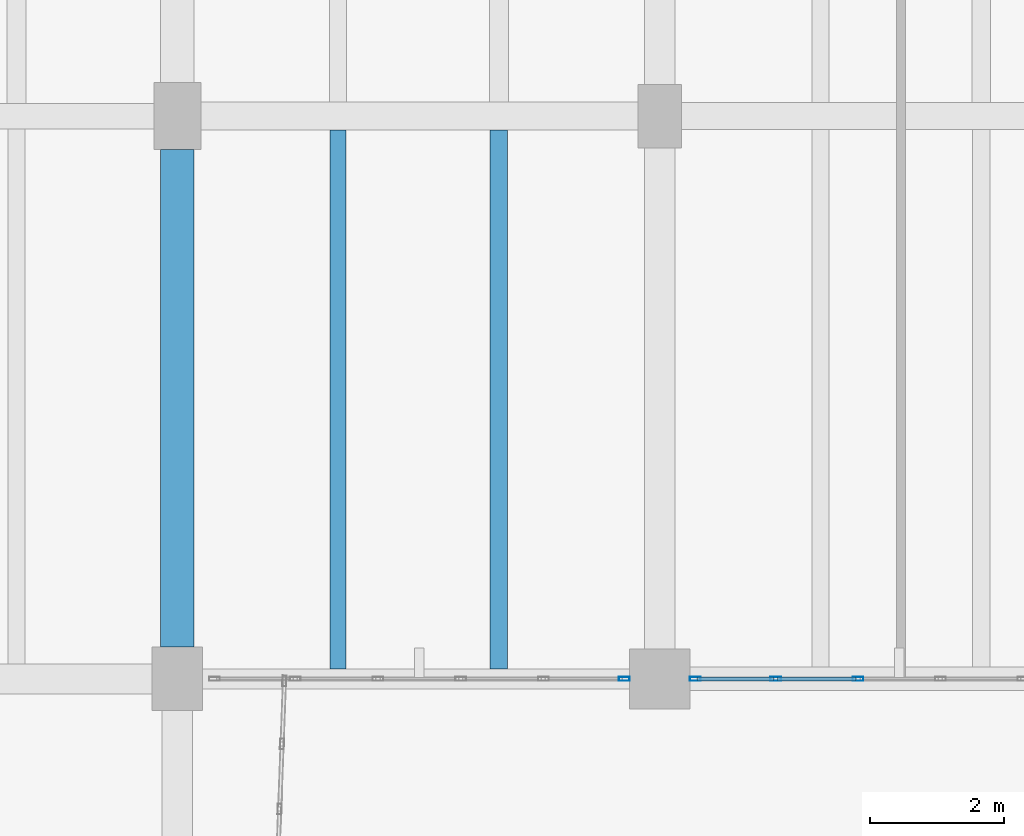
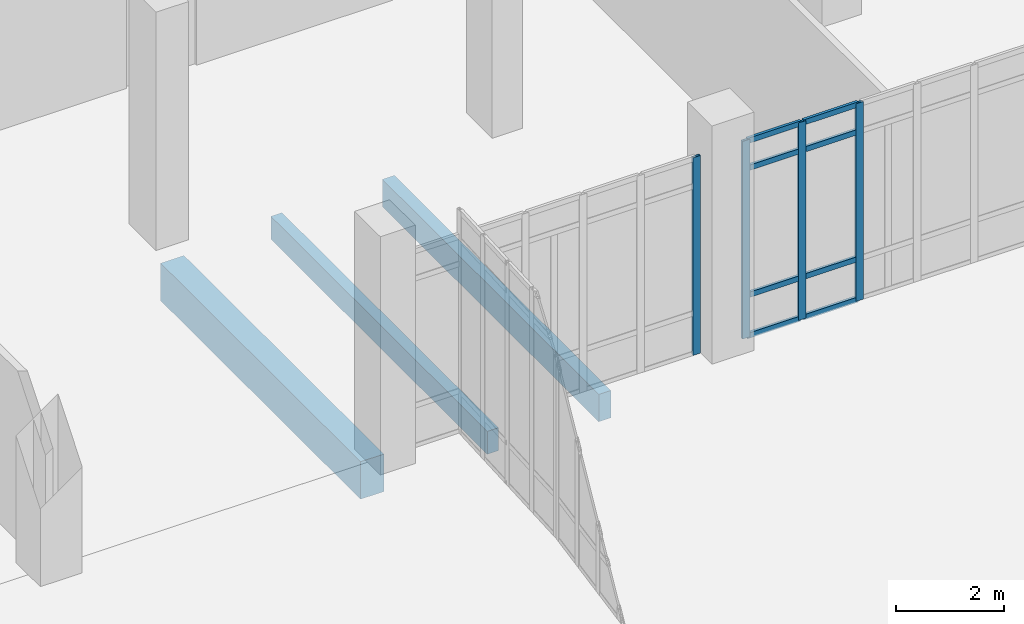
# One storey, part 50 of 110: 12 members, 3 beams, 2 elements without a shape of their own.
"""IFC4 building model written with IfcOpenShell, lengths in metres."""

from ifc_helpers import new_model, si_unit, direction, frame, origin, origin_2d, place, context, subcontext, project, spatial, rectangle, hollow_rectangle, extrude, material, material_profile, profile_set, type_object, element, aggregate, save


model = new_model("IFC4")

# Units and contexts
model_context = context("Model", 3, precision=1e-05, world=origin(), true_north=direction((0.0, 1.0)))
body_context = subcontext(model_context, "Body", "Model", "MODEL_VIEW")
ifc_project = project(units=[si_unit("LENGTHUNIT", "METRE"), si_unit("AREAUNIT", "SQUARE_METRE"), si_unit("VOLUMEUNIT", "CUBIC_METRE"), si_unit("PLANEANGLEUNIT", "RADIAN"), si_unit("MASSUNIT", "GRAM", prefix="KILO")], contexts=[model_context])

# Site, building, storey
site_placement = place(None, origin())
site = spatial("IfcSite", under=ifc_project, at=site_placement, CompositionType="ELEMENT")
building_placement = place(site_placement, origin())
building = spatial("IfcBuilding", under=site, at=building_placement, Name="Kalluvel Institute of Natural Sciences", CompositionType="ELEMENT")
storey_placement = place(building_placement, origin())
storey = spatial("IfcBuildingStorey", under=building, at=storey_placement, Name="L00", CompositionType="ELEMENT", Elevation=0.0)

# Beam
ifc_material_1 = material(Name="Concrete M50", Category="concrete")
ifc_material_profile_1 = material_profile(ifc_material_1, rectangle(XDim=0.5, YDim=0.85009765625, at=origin_2d()), Name="RCB 500x850")
ifc_profile_set_1 = profile_set([ifc_material_profile_1], Name="Concrete M50")
beam_type_1 = type_object("IfcBeamType", Name="BM-RC500x850", PredefinedType="BEAM", material=ifc_profile_set_1)
beam_1_placement = place(storey_placement, frame((86.0, 103.27490234375, -0.7451171875), z_axis=(0.0, 1.0, 0.0), x_axis=(-1.0, 0.0, 0.0)))
element("IfcBeam", 1, at=beam_1_placement, inside=storey, type_object=beam_type_1, Name="L00 girder GIR-L00-NS-X860-Y1028", PredefinedType="BEAM", context=body_context, shape_type="SweptSolid", body=[
    extrude(rectangle(XDim=0.5, YDim=0.85009765625, at=origin_2d()), origin(), (0.0, 0.0, 1.0), 7.425048828125),
])

# Curtain wall, member
ifc_material_2 = material(Name="Aluminium AW-6063 T6", Category="aluminium")
curtain_wall_type = type_object("IfcCurtainWallType", Name="CW-WET-54", PredefinedType="USERDEFINED", material=ifc_material_2)
curtain_wall_1_placement = place(storey_placement, origin())
curtain_wall_1 = element("IfcCurtainWall", 2, at=curtain_wall_1_placement, inside=storey, type_object=curtain_wall_type, Name="L00 Gothic lancet curtain wall CWA-L00-X865-Y1028", ObjectType="UNITISED LANCET FACADE", PredefinedType="USERDEFINED")
ifc_material_profile_2 = material_profile(ifc_material_2, hollow_rectangle(XDim=0.06005859375, YDim=0.159912109375, WallThickness=0.00390625, at=origin_2d()), Name="CWM 60x160")
ifc_profile_set_2 = profile_set([ifc_material_profile_2], Name="Aluminium AW-6063 T6")
member_type_1 = type_object("IfcMemberType", Name="CWM-60x160", PredefinedType="MULLION", material=ifc_profile_set_2)
member_1_placement = place(storey_placement, frame((92.669921875, 102.800048828125, 0.0), z_axis=(0.0, 0.0, 1.0), x_axis=(0.0, 1.0, 0.0)))
member_1 = element("IfcMember", 3, at=member_1_placement, type_object=member_type_1, Name="CW-02 mullion 6", PredefinedType="MULLION", context=body_context, shape_type="SweptSolid", body=[
    extrude(hollow_rectangle(XDim=0.06005859375, YDim=0.159912109375, WallThickness=0.00390625, at=origin_2d()), origin(), (0.0, 0.0, 1.0), 4.47998046875),
])
aggregate(curtain_wall_1, [member_1])

# Curtain wall, members
curtain_wall_2_placement = place(storey_placement, origin())
curtain_wall_2 = element("IfcCurtainWall", 4, at=curtain_wall_2_placement, inside=storey, type_object=curtain_wall_type, Name="L00 Gothic lancet curtain wall CWA-L00-X937-Y1028", ObjectType="UNITISED LANCET FACADE", PredefinedType="USERDEFINED")
member_2_placement = place(storey_placement, frame((93.72998046875, 102.800048828125, 0.0), z_axis=(0.0, 0.0, 1.0), x_axis=(0.0, 1.0, 0.0)))
member_2 = element("IfcMember", 5, at=member_2_placement, type_object=member_type_1, Name="CW-02 mullion 1", PredefinedType="MULLION", context=body_context, shape_type="SweptSolid", body=[
    extrude(hollow_rectangle(XDim=0.06005859375, YDim=0.159912109375, WallThickness=0.00390625, at=origin_2d()), origin(), (0.0, 0.0, 1.0), 4.47998046875),
])
member_3_placement = place(storey_placement, frame((94.929931640625, 102.800048828125, 0.0), z_axis=(0.0, 0.0, 1.0), x_axis=(0.0, 1.0, 0.0)))
member_3 = element("IfcMember", 6, at=member_3_placement, type_object=member_type_1, Name="CW-02 mullion 2", PredefinedType="MULLION", context=body_context, shape_type="SweptSolid", body=[
    extrude(hollow_rectangle(XDim=0.06005859375, YDim=0.159912109375, WallThickness=0.00390625, at=origin_2d()), origin(), (0.0, 0.0, 1.0), 4.47998046875),
])
member_4_placement = place(storey_placement, frame((96.159912109375, 102.800048828125, 0.0), z_axis=(0.0, 0.0, 1.0), x_axis=(0.0, 1.0, 0.0)))
member_4 = element("IfcMember", 7, at=member_4_placement, type_object=member_type_1, Name="CW-02 mullion 3", PredefinedType="MULLION", context=body_context, shape_type="SweptSolid", body=[
    extrude(hollow_rectangle(XDim=0.06005859375, YDim=0.159912109375, WallThickness=0.00390625, at=origin_2d()), origin(), (0.0, 0.0, 1.0), 4.47998046875),
])
ifc_material_profile_3 = material_profile(ifc_material_2, hollow_rectangle(XDim=0.06005859375, YDim=0.1201171875, WallThickness=0.00390625, at=origin_2d()), Name="CWT 60x120")
ifc_profile_set_3 = profile_set([ifc_material_profile_3], Name="Aluminium AW-6063 T6")
member_type_2 = type_object("IfcMemberType", Name="CWT-60x120", PredefinedType="USERDEFINED", material=ifc_profile_set_3)
member_5_placement = place(storey_placement, frame((93.760009765625, 102.800048828125, 0.030029296875), z_axis=(1.0, 0.0, 0.0), x_axis=(0.0, 1.0, 0.0)))
member_5 = element("IfcMember", 8, at=member_5_placement, type_object=member_type_2, Name="CW-02 transom 1.1", ObjectType="TRANSOM", PredefinedType="USERDEFINED", context=body_context, shape_type="SweptSolid", body=[
    extrude(hollow_rectangle(XDim=0.06005859375, YDim=0.1201171875, WallThickness=0.00390625, at=origin_2d()), origin(), (0.0, 0.0, 1.0), 1.139892578125),
])
member_6_placement = place(storey_placement, frame((93.760009765625, 102.800048828125, 0.949951171875), z_axis=(1.0, 0.0, 0.0), x_axis=(0.0, 1.0, 0.0)))
member_6 = element("IfcMember", 9, at=member_6_placement, type_object=member_type_2, Name="CW-02 transom 1.2", ObjectType="TRANSOM", PredefinedType="USERDEFINED", context=body_context, shape_type="SweptSolid", body=[
    extrude(hollow_rectangle(XDim=0.06005859375, YDim=0.1201171875, WallThickness=0.00390625, at=origin_2d()), origin(), (0.0, 0.0, 1.0), 1.139892578125),
])
member_7_placement = place(storey_placement, frame((93.760009765625, 102.800048828125, 3.830078125), z_axis=(1.0, 0.0, 0.0), x_axis=(0.0, 1.0, 0.0)))
member_7 = element("IfcMember", 10, at=member_7_placement, type_object=member_type_2, Name="CW-02 transom 1.3", ObjectType="TRANSOM", PredefinedType="USERDEFINED", context=body_context, shape_type="SweptSolid", body=[
    extrude(hollow_rectangle(XDim=0.06005859375, YDim=0.1201171875, WallThickness=0.00390625, at=origin_2d()), origin(), (0.0, 0.0, 1.0), 1.139892578125),
])
member_8_placement = place(storey_placement, frame((93.760009765625, 102.800048828125, 4.449951171875), z_axis=(1.0, 0.0, 0.0), x_axis=(0.0, 1.0, 0.0)))
member_8 = element("IfcMember", 11, at=member_8_placement, type_object=member_type_2, Name="CW-02 transom 1.4", ObjectType="TRANSOM", PredefinedType="USERDEFINED", context=body_context, shape_type="SweptSolid", body=[
    extrude(hollow_rectangle(XDim=0.06005859375, YDim=0.1201171875, WallThickness=0.00390625, at=origin_2d()), origin(), (0.0, 0.0, 1.0), 1.139892578125),
])
member_9_placement = place(storey_placement, frame((94.9599609375, 102.800048828125, 0.030029296875), z_axis=(1.0, 0.0, 0.0), x_axis=(0.0, 1.0, 0.0)))
member_9 = element("IfcMember", 12, at=member_9_placement, type_object=member_type_2, Name="CW-02 transom 2.1", ObjectType="TRANSOM", PredefinedType="USERDEFINED", context=body_context, shape_type="SweptSolid", body=[
    extrude(hollow_rectangle(XDim=0.06005859375, YDim=0.1201171875, WallThickness=0.00390625, at=origin_2d()), origin(), (0.0, 0.0, 1.0), 1.169921875),
])
member_10_placement = place(storey_placement, frame((94.9599609375, 102.800048828125, 0.949951171875), z_axis=(1.0, 0.0, 0.0), x_axis=(0.0, 1.0, 0.0)))
member_10 = element("IfcMember", 13, at=member_10_placement, type_object=member_type_2, Name="CW-02 transom 2.2", ObjectType="TRANSOM", PredefinedType="USERDEFINED", context=body_context, shape_type="SweptSolid", body=[
    extrude(hollow_rectangle(XDim=0.06005859375, YDim=0.1201171875, WallThickness=0.00390625, at=origin_2d()), origin(), (0.0, 0.0, 1.0), 1.169921875),
])
member_11_placement = place(storey_placement, frame((94.9599609375, 102.800048828125, 3.830078125), z_axis=(1.0, 0.0, 0.0), x_axis=(0.0, 1.0, 0.0)))
member_11 = element("IfcMember", 14, at=member_11_placement, type_object=member_type_2, Name="CW-02 transom 2.3", ObjectType="TRANSOM", PredefinedType="USERDEFINED", context=body_context, shape_type="SweptSolid", body=[
    extrude(hollow_rectangle(XDim=0.06005859375, YDim=0.1201171875, WallThickness=0.00390625, at=origin_2d()), origin(), (0.0, 0.0, 1.0), 1.169921875),
])
member_12_placement = place(storey_placement, frame((94.9599609375, 102.800048828125, 4.449951171875), z_axis=(1.0, 0.0, 0.0), x_axis=(0.0, 1.0, 0.0)))
member_12 = element("IfcMember", 15, at=member_12_placement, type_object=member_type_2, Name="CW-02 transom 2.4", ObjectType="TRANSOM", PredefinedType="USERDEFINED", context=body_context, shape_type="SweptSolid", body=[
    extrude(hollow_rectangle(XDim=0.06005859375, YDim=0.1201171875, WallThickness=0.00390625, at=origin_2d()), origin(), (0.0, 0.0, 1.0), 1.169921875),
])
aggregate(curtain_wall_2, [member_2, member_3, member_4, member_5, member_6, member_7, member_8, member_9, member_10, member_11, member_12])

# Beams
ifc_material_3 = material(Name="Concrete M40", Category="concrete")
ifc_material_profile_4 = material_profile(ifc_material_3, rectangle(XDim=0.239990234375, YDim=0.52001953125, at=origin_2d()), Name="WAF 240x520")
ifc_profile_set_4 = profile_set([ifc_material_profile_4], Name="Concrete M40")
beam_type_2 = type_object("IfcBeamType", Name="WJ-240x520", PredefinedType="JOIST", material=ifc_profile_set_4)
beam_2_placement = place(storey_placement, frame((88.39990234375, 102.949951171875, -0.580078125), z_axis=(0.0, 1.0, 0.0), x_axis=(-1.0, 0.0, 0.0)))
element("IfcBeam", 16, at=beam_2_placement, inside=storey, type_object=beam_type_2, Name="L00 waffle joist RIB-L00-0052", PredefinedType="JOIST", context=body_context, shape_type="SweptSolid", body=[
    extrude(rectangle(XDim=0.239990234375, YDim=0.52001953125, at=origin_2d()), origin(), (0.0, 0.0, 1.0), 8.0400390625),
])
ifc_material_profile_5 = material_profile(ifc_material_1, rectangle(XDim=0.260009765625, YDim=0.6201171875, at=origin_2d()), Name="WAF 260x620")
ifc_profile_set_5 = profile_set([ifc_material_profile_5], Name="Concrete M50")
beam_type_3 = type_object("IfcBeamType", Name="WJ-260x620", PredefinedType="JOIST", material=ifc_profile_set_5)
beam_3_placement = place(storey_placement, frame((90.800048828125, 102.949951171875, -0.6298828125), z_axis=(0.0, 1.0, 0.0), x_axis=(-1.0, 0.0, 0.0)))
element("IfcBeam", 17, at=beam_3_placement, inside=storey, type_object=beam_type_3, Name="L00 waffle joist RIB-L00-0053", PredefinedType="JOIST", context=body_context, shape_type="SweptSolid", body=[
    extrude(rectangle(XDim=0.260009765625, YDim=0.6201171875, at=origin_2d()), origin(), (0.0, 0.0, 1.0), 8.0400390625),
])

save(model, "model.ifc")
